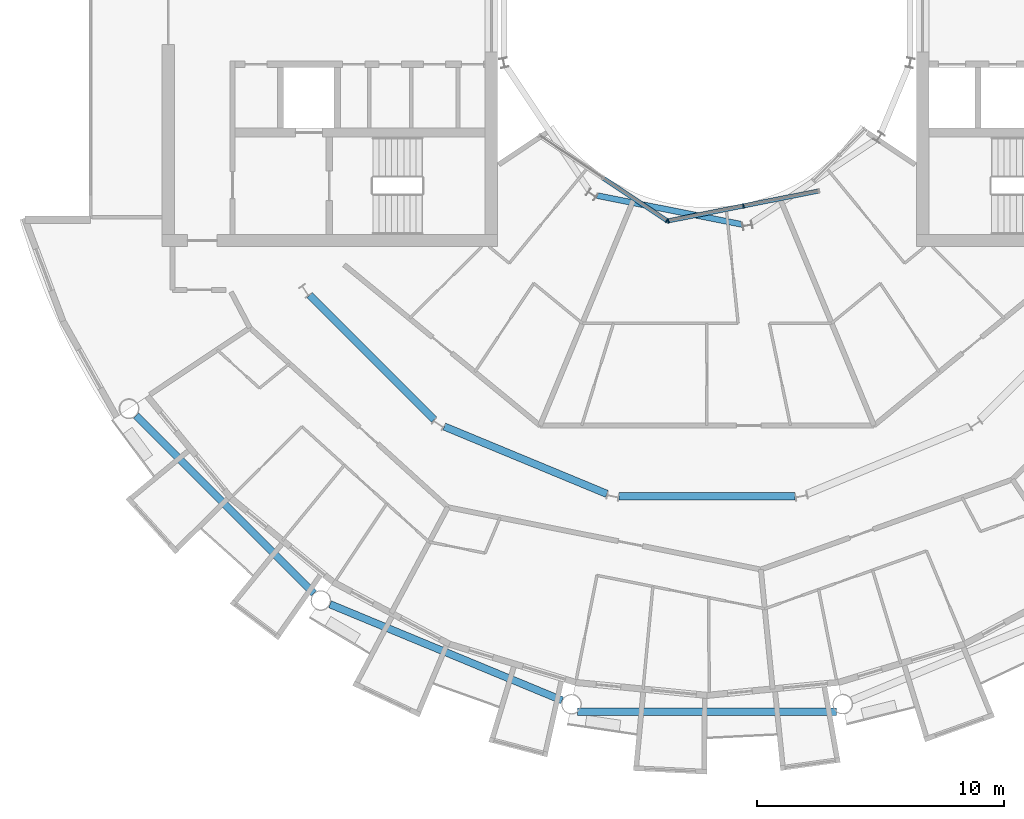
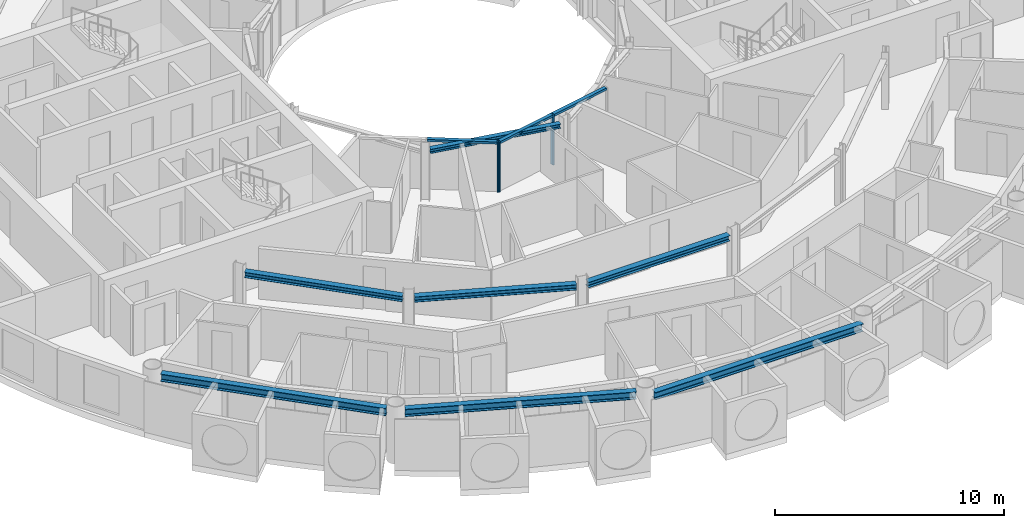
# One storey, part 5 of 28: 7 beams, 6 members, 2 elements without a shape of their own.
"""IFC4 building model written with IfcOpenShell, lengths in metres."""

from ifc_helpers import new_model, si_unit, direction, frame, origin, origin_2d, place, context, subcontext, project, spatial, rectangle, i_section, extrude, material, layer, layer_set, material_profile, profile_set, type_object, element, aggregate, save


model = new_model("IFC4")

# Units and contexts
model_context = context("Model", 3, precision=1e-05, world=origin(), true_north=direction((0.0, 1.0)))
body_context = subcontext(model_context, "Body", "Model", "MODEL_VIEW")
ifc_project = project(units=[si_unit("LENGTHUNIT", "METRE"), si_unit("AREAUNIT", "SQUARE_METRE"), si_unit("VOLUMEUNIT", "CUBIC_METRE"), si_unit("PLANEANGLEUNIT", "RADIAN"), si_unit("MASSUNIT", "GRAM", prefix="KILO")], contexts=[model_context])

# Site, building, storey
site_placement = place(None, origin())
site = spatial("IfcSite", under=ifc_project, at=site_placement, CompositionType="ELEMENT")
building_placement = place(site_placement, origin())
building = spatial("IfcBuilding", under=site, at=building_placement, Name="Maasbend Ring Residences", CompositionType="ELEMENT")
storey_placement = place(building_placement, frame((0.0, 0.0, 173.800048828125)))
storey = spatial("IfcBuildingStorey", under=building, at=storey_placement, Name="L50", CompositionType="ELEMENT", Elevation=173.800048828125)

# Curtain wall, member
ifc_material_1 = material(Name="Aluminium and clear glass", Category="aluminium")
ifc_layer = layer(ifc_material_1, 0.179931640625)
ifc_layer_set = layer_set([ifc_layer], Name="CW-W")
curtain_wall_type = type_object("IfcCurtainWallType", Name="CW-W", PredefinedType="NOTDEFINED", material=ifc_layer_set)
curtain_wall_1_placement = place(storey_placement, origin())
curtain_wall_1 = element("IfcCurtainWall", 1, at=curtain_wall_1_placement, inside=storey, type_object=curtain_wall_type, Name="Well curtain wall S1", PredefinedType="NOTDEFINED")
ifc_material_2 = material(Name="Aluminium 6063-T6", Category="aluminium")
ifc_material_profile_1 = material_profile(ifc_material_2, rectangle(XDim=0.179931640625, YDim=0.06005859375, at=origin_2d()), Name="AL 180x60")
ifc_profile_set_1 = profile_set([ifc_material_profile_1], Name="Aluminium 6063-T6")
member_type_1 = type_object("IfcMemberType", Name="CWM-W", PredefinedType="MULLION", material=ifc_profile_set_1)
member_1_placement = place(storey_placement, frame((-1.627685546875, -8.040771484375, 0.0), z_axis=(0.0, 0.0, 1.0), x_axis=(0.55557023302, 0.831469612303, 0.0)))
member_1 = element("IfcMember", 2, at=member_1_placement, type_object=member_type_1, Name="Mullion well face", PredefinedType="MULLION", context=body_context, shape_type="SweptSolid", body=[
    extrude(rectangle(XDim=0.179931640625, YDim=0.06005859375, at=origin_2d()), origin(), (0.0, 0.0, 1.0), 2.699951171875),
])

# Curtain wall, members
curtain_wall_2_placement = place(storey_placement, origin())
curtain_wall_2 = element("IfcCurtainWall", 3, at=curtain_wall_2_placement, inside=storey, type_object=curtain_wall_type, Name="Well curtain wall S2", PredefinedType="NOTDEFINED")
member_2_placement = place(storey_placement, frame((-1.5732421875, -8.0517578125, 0.0), z_axis=(0.0, 0.0, 1.0), x_axis=(-0.195090322016, 0.980785280403, 0.0)))
member_2 = element("IfcMember", 4, at=member_2_placement, type_object=member_type_1, Name="Mullion well face", PredefinedType="MULLION", context=body_context, shape_type="SweptSolid", body=[
    extrude(rectangle(XDim=0.179931640625, YDim=0.06005859375, at=origin_2d()), origin(), (0.0, 0.0, 1.0), 2.699951171875),
])
member_3_placement = place(storey_placement, frame((1.480712890625, -7.444091796875, 0.0), z_axis=(0.0, 0.0, 1.0), x_axis=(-0.195090322016, 0.980785280403, 0.0)))
member_3 = element("IfcMember", 5, at=member_3_placement, type_object=member_type_1, Name="Mullion well face", PredefinedType="MULLION", context=body_context, shape_type="SweptSolid", body=[
    extrude(rectangle(XDim=0.179931640625, YDim=0.06005859375, at=origin_2d()), origin(), (0.0, 0.0, 1.0), 2.699951171875),
])

# Member
ifc_material_3 = material(Name="Aluminium 6063-T6", Category="aluminium")
ifc_material_profile_2 = material_profile(ifc_material_3, rectangle(XDim=0.179931640625, YDim=0.1201171875, at=origin_2d()), Name="AL 180x120")
ifc_profile_set_2 = profile_set([ifc_material_profile_2], Name="Aluminium 6063-T6")
member_type_2 = type_object("IfcMemberType", Name="CWT-W", PredefinedType="USERDEFINED", material=ifc_profile_set_2)
member_4_placement = place(storey_placement, frame((-4.19189453125, -6.32763671875, 2.639892578125), z_axis=(0.831496422459, -0.555530106689, 0.0), x_axis=(0.555530106689, 0.831496422459, 0.0)))
member_4 = element("IfcMember", 6, at=member_4_placement, type_object=member_type_2, Name="Transom well face", ObjectType="TRANSOM", PredefinedType="USERDEFINED", context=body_context, shape_type="SweptSolid", body=[
    extrude(rectangle(XDim=0.179931640625, YDim=0.1201171875, at=origin_2d()), origin(), (0.0, 0.0, 1.0), 3.053955078125),
])

aggregate(curtain_wall_1, [member_1, member_4])

member_5_placement = place(storey_placement, frame((-1.5439453125, -8.0458984375, 2.639892578125), z_axis=(0.980776956105, 0.195132166424, 0.0), x_axis=(-0.195132166424, 0.980776956105, 0.0)))
member_5 = element("IfcMember", 7, at=member_5_placement, type_object=member_type_2, Name="Transom well face", ObjectType="TRANSOM", PredefinedType="USERDEFINED", context=body_context, shape_type="SweptSolid", body=[
    extrude(rectangle(XDim=0.179931640625, YDim=0.1201171875, at=origin_2d()), origin(), (0.0, 0.0, 1.0), 3.053955078125),
])

member_6_placement = place(storey_placement, frame((1.51025390625, -7.438232421875, 2.639892578125), z_axis=(0.980789210404, 0.19507056353, 0.0), x_axis=(-0.19507056353, 0.980789210404, 0.0)))
member_6 = element("IfcMember", 8, at=member_6_placement, type_object=member_type_2, Name="Transom well face", ObjectType="TRANSOM", PredefinedType="USERDEFINED", context=body_context, shape_type="SweptSolid", body=[
    extrude(rectangle(XDim=0.179931640625, YDim=0.1201171875, at=origin_2d()), origin(), (0.0, 0.0, 1.0), 3.0537109375),
])

aggregate(curtain_wall_2, [member_2, member_3, member_5, member_6])

# Beams
ifc_material_4 = material(Name="Steel S355J2", Category="steel")
ifc_material_profile_3 = material_profile(ifc_material_4, i_section(OverallWidth=0.300048828125, OverallDepth=0.2900390625, WebThickness=0.008544921875, FlangeThickness=0.013916015625, FilletRadius=0.027099609375, at=origin_2d()), Name="HEA 300")
ifc_profile_set_3 = profile_set([ifc_material_profile_3], Name="Steel S355J2")
beam_type_1 = type_object("IfcBeamType", Name="Corridor ring beam HEA 300", PredefinedType="BEAM", material=ifc_profile_set_3)
for number, where, z_axis, x_axis, name in (
    (9, (-16.11669921875, -11.0693359375, 2.554931640625), (0.707106781187, -0.707106781187, 0.0), (0.707106781187, 0.707106781187, 0.0), "Corridor ring beam"),
    (10, (-10.65380859375, -16.394287109375, 2.554931640625), (0.923871339849, -0.382703210602, 0.0), (0.382703210602, 0.923871339849, 0.0), "Corridor ring beam"),
):
    element("IfcBeam", number, at=place(storey_placement, frame(where, z_axis=z_axis, x_axis=x_axis)), inside=storey, type_object=beam_type_1, Name=name, PredefinedType="BEAM", context=body_context, shape_type="SweptSolid", body=[
        extrude(i_section(OverallWidth=0.300048828125, OverallDepth=0.2900390625, WebThickness=0.008544921875, FlangeThickness=0.013916015625, FilletRadius=0.027099609375, at=origin_2d()), origin(), (0.0, 0.0, 1.0), 7.137939453125),
    ])
beam_1_placement = place(storey_placement, frame((-3.56884765625, -19.223388671875, 2.554931640625), z_axis=(1.0, 0.0, 0.0), x_axis=(0.0, 1.0, 0.0)))
element("IfcBeam", 11, at=beam_1_placement, inside=storey, type_object=beam_type_1, Name="Corridor ring beam", PredefinedType="BEAM", context=body_context, shape_type="SweptSolid", body=[
    extrude(i_section(OverallWidth=0.300048828125, OverallDepth=0.2900390625, WebThickness=0.008544921875, FlangeThickness=0.013916015625, FilletRadius=0.027099609375, at=origin_2d()), origin(), (0.0, 0.0, 1.0), 7.1376953125),
])
ifc_material_5 = material(Name="Steel S355J2", Category="steel")
ifc_material_profile_4 = material_profile(ifc_material_5, i_section(OverallWidth=0.300048828125, OverallDepth=0.39990234375, WebThickness=0.013427734375, FlangeThickness=0.02392578125, FilletRadius=0.027099609375, at=origin_2d()), Name="HEB 400")
ifc_profile_set_4 = profile_set([ifc_material_profile_4], Name="Steel S355J2")
beam_type_2 = type_object("IfcBeamType", Name="Spandrel ring beam HEB 400", PredefinedType="SPANDREL", material=ifc_profile_set_4)
for number, where, z_axis, x_axis, name in (
    (12, (-23.159912109375, -15.95458984375, 2.5), (0.707106781187, -0.707106781187, 0.0), (0.707106781187, 0.707106781187, 0.0), "Spandrel ring beam"),
    (13, (-15.29150390625, -23.60302734375, 2.5), (0.923883676188, -0.382673428492, 0.0), (0.382673428492, 0.923883676188, 0.0), "Spandrel ring beam"),
):
    element("IfcBeam", number, at=place(storey_placement, frame(where, z_axis=z_axis, x_axis=x_axis)), inside=storey, type_object=beam_type_2, Name=name, PredefinedType="SPANDREL", context=body_context, shape_type="SweptSolid", body=[
        extrude(i_section(OverallWidth=0.300048828125, OverallDepth=0.39990234375, WebThickness=0.013427734375, FlangeThickness=0.02392578125, FilletRadius=0.027099609375, at=origin_2d()), origin(), (0.0, 0.0, 1.0), 10.18994140625),
    ])
beam_2_placement = place(storey_placement, frame((-5.2451171875, -27.9580078125, 2.5), z_axis=(1.0, 0.0, 0.0), x_axis=(0.0, 1.0, 0.0)))
element("IfcBeam", 14, at=beam_2_placement, inside=storey, type_object=beam_type_2, Name="Spandrel ring beam", PredefinedType="SPANDREL", context=body_context, shape_type="SweptSolid", body=[
    extrude(i_section(OverallWidth=0.300048828125, OverallDepth=0.39990234375, WebThickness=0.013427734375, FlangeThickness=0.02392578125, FilletRadius=0.027099609375, at=origin_2d()), origin(), (0.0, 0.0, 1.0), 10.490234375),
])
ifc_material_6 = material(Name="Steel S355J2", Category="steel")
ifc_material_profile_5 = material_profile(ifc_material_6, i_section(OverallWidth=0.239990234375, OverallDepth=0.22998046875, WebThickness=0.007568359375, FlangeThickness=0.011962890625, FilletRadius=0.02099609375, at=origin_2d()), Name="HEA 240")
ifc_profile_set_5 = profile_set([ifc_material_profile_5], Name="Steel S355J2")
beam_type_3 = type_object("IfcBeamType", Name="Well edge beam HEA 240", PredefinedType="BEAM", material=ifc_profile_set_5)
beam_3_placement = place(storey_placement, frame((-4.459716796875, -7.025390625, 2.5849609375), z_axis=(0.980778695042, -0.195123425945, 0.0), x_axis=(0.195123425945, 0.980778695042, 0.0)))
element("IfcBeam", 15, at=beam_3_placement, inside=storey, type_object=beam_type_3, Name="Well edge beam", PredefinedType="BEAM", context=body_context, shape_type="SweptSolid", body=[
    extrude(i_section(OverallWidth=0.239990234375, OverallDepth=0.22998046875, WebThickness=0.007568359375, FlangeThickness=0.011962890625, FilletRadius=0.02099609375, at=origin_2d()), origin(), (0.0, 0.0, 1.0), 6.007080078125),
])

save(model, "model.ifc")
